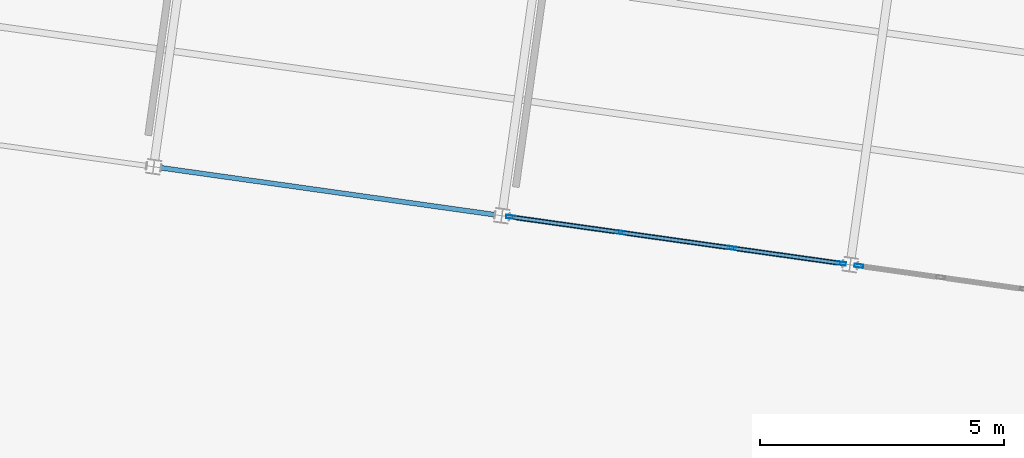
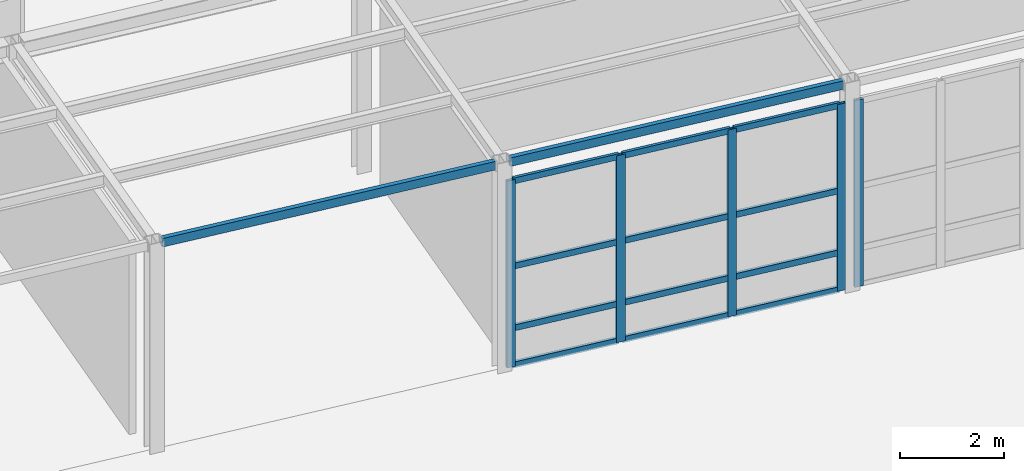
# One storey, part 18 of 57: 17 members, 2 beams, 2 elements without a shape of their own.
"""IFC4 building model written with IfcOpenShell, lengths in metres."""

from ifc_helpers import new_model, si_unit, direction, frame, origin, origin_2d, place, context, subcontext, project, spatial, hollow_rectangle, extrude, material, layer, layer_set, material_profile, profile_set, type_object, element, aggregate, save


model = new_model("IFC4")

# Units and contexts
model_context = context("Model", 3, precision=1e-05, world=origin(), true_north=direction((0.0, 1.0)))
body_context = subcontext(model_context, "Body", "Model", "MODEL_VIEW")
ifc_project = project(units=[si_unit("LENGTHUNIT", "METRE"), si_unit("AREAUNIT", "SQUARE_METRE"), si_unit("VOLUMEUNIT", "CUBIC_METRE"), si_unit("PLANEANGLEUNIT", "RADIAN"), si_unit("MASSUNIT", "GRAM", prefix="KILO")], contexts=[model_context])

# Site, building, storey
site_placement = place(None, origin())
site = spatial("IfcSite", under=ifc_project, at=site_placement, CompositionType="ELEMENT")
building_placement = place(site_placement, origin())
building = spatial("IfcBuilding", under=site, at=building_placement, Name="Kharisveld Research Institute", CompositionType="ELEMENT")
storey_placement = place(building_placement, origin())
storey = spatial("IfcBuildingStorey", under=building, at=storey_placement, Name="L00", CompositionType="ELEMENT", Elevation=0.0)

# Curtain wall, member
ifc_material_1 = material(Name="Thermally Broken Aluminium Curtain Wall", Category="aluminium")
ifc_layer_1 = layer(ifc_material_1, 0.159912109375)
ifc_layer_set_1 = layer_set([ifc_layer_1], Name="CW_SYS_05")
curtain_wall_type_1 = type_object("IfcCurtainWallType", Name="CW_SYS_05", PredefinedType="NOTDEFINED", material=ifc_layer_set_1)
curtain_wall_1_placement = place(storey_placement, origin())
curtain_wall_1 = element("IfcCurtainWall", 1, at=curtain_wall_1_placement, inside=storey, type_object=curtain_wall_type_1, Name="CW:V4:L00:S4", PredefinedType="NOTDEFINED")
ifc_material_2 = material(Name="Anodised Aluminium AW-6063-T6", Category="aluminium")
ifc_material_profile_1 = material_profile(ifc_material_2, hollow_rectangle(XDim=0.070068359375, YDim=0.179931640625, WallThickness=0.00439453125, at=origin_2d()))
ifc_profile_set_1 = profile_set([ifc_material_profile_1], Name="Anodised Aluminium AW-6063-T6")
member_type_1 = type_object("IfcMemberType", Name="CW_MUL_180", PredefinedType="MULLION", material=ifc_profile_set_1)
member_1_placement = place(storey_placement, frame((96.568115234375, 14.46875, 0.0), z_axis=(0.0, 0.0, 1.0), x_axis=(-0.139173089933, -0.990268070291, 0.0)))
member_1 = element("IfcMember", 2, at=member_1_placement, type_object=member_type_1, Name="CW-05 mullion 5", PredefinedType="MULLION", context=body_context, shape_type="SweptSolid", body=[
    extrude(hollow_rectangle(XDim=0.070068359375, YDim=0.179931640625, WallThickness=0.00439453125, at=origin_2d()), origin(), (0.0, 0.0, 1.0), 4.3798828125),
])
aggregate(curtain_wall_1, [member_1])

# Curtain wall, members
ifc_material_3 = material(Name="Thermally Broken Aluminium Curtain Wall", Category="aluminium")
ifc_layer_2 = layer(ifc_material_3, 0.159912109375)
ifc_layer_set_2 = layer_set([ifc_layer_2], Name="CW_SYS_06")
curtain_wall_type_2 = type_object("IfcCurtainWallType", Name="CW_SYS_06", PredefinedType="NOTDEFINED", material=ifc_layer_set_2)
curtain_wall_2_placement = place(storey_placement, origin())
curtain_wall_2 = element("IfcCurtainWall", 3, at=curtain_wall_2_placement, inside=storey, type_object=curtain_wall_type_2, Name="CW:V4:L00:S3", PredefinedType="NOTDEFINED")
member_2_placement = place(storey_placement, frame((96.21142578125, 14.518798828125, 0.0), z_axis=(0.0, 0.0, 1.0), x_axis=(-0.139173089933, -0.990268070291, 0.0)))
member_2 = element("IfcMember", 4, at=member_2_placement, type_object=member_type_1, Name="CW-06 mullion 1", PredefinedType="MULLION", context=body_context, shape_type="SweptSolid", body=[
    extrude(hollow_rectangle(XDim=0.070068359375, YDim=0.179931640625, WallThickness=0.00439453125, at=origin_2d()), origin(), (0.0, 0.0, 1.0), 4.3798828125),
])
member_3_placement = place(storey_placement, frame((93.96533203125, 14.834716796875, 0.0), z_axis=(0.0, 0.0, 1.0), x_axis=(-0.139173089933, -0.990268070291, 0.0)))
member_3 = element("IfcMember", 5, at=member_3_placement, type_object=member_type_1, Name="CW-06 mullion 2", PredefinedType="MULLION", context=body_context, shape_type="SweptSolid", body=[
    extrude(hollow_rectangle(XDim=0.070068359375, YDim=0.179931640625, WallThickness=0.00439453125, at=origin_2d()), origin(), (0.0, 0.0, 1.0), 4.3798828125),
])
member_4_placement = place(storey_placement, frame((91.684326171875, 15.1552734375, 0.0), z_axis=(0.0, 0.0, 1.0), x_axis=(-0.139173089933, -0.990268070291, 0.0)))
member_4 = element("IfcMember", 6, at=member_4_placement, type_object=member_type_1, Name="CW-06 mullion 3", PredefinedType="MULLION", context=body_context, shape_type="SweptSolid", body=[
    extrude(hollow_rectangle(XDim=0.070068359375, YDim=0.179931640625, WallThickness=0.00439453125, at=origin_2d()), origin(), (0.0, 0.0, 1.0), 4.3798828125),
])
member_5_placement = place(storey_placement, frame((89.43798828125, 15.470947265625, 0.0), z_axis=(0.0, 0.0, 1.0), x_axis=(-0.139173089933, -0.990268070291, 0.0)))
member_5 = element("IfcMember", 7, at=member_5_placement, type_object=member_type_1, Name="CW-06 mullion 4", PredefinedType="MULLION", context=body_context, shape_type="SweptSolid", body=[
    extrude(hollow_rectangle(XDim=0.070068359375, YDim=0.179931640625, WallThickness=0.00439453125, at=origin_2d()), origin(), (0.0, 0.0, 1.0), 4.3798828125),
])
ifc_material_4 = material(Name="Anodised Aluminium AW-6063-T6", Category="aluminium")
ifc_material_profile_2 = material_profile(ifc_material_4, hollow_rectangle(XDim=0.06494140625, YDim=0.139892578125, WallThickness=0.00390625, at=origin_2d()))
ifc_profile_set_2 = profile_set([ifc_material_profile_2], Name="Anodised Aluminium AW-6063-T6")
member_type_2 = type_object("IfcMemberType", Name="CW_TRN_140", PredefinedType="USERDEFINED", material=ifc_profile_set_2)
member_6_placement = place(storey_placement, frame((96.177001953125, 14.523681640625, 0.032470703125), z_axis=(-0.990255860984, 0.139259936041, 0.0), x_axis=(-0.139259936041, -0.990255860984, 0.0)))
member_6 = element("IfcMember", 8, at=member_6_placement, type_object=member_type_2, Name="CW-06 transom 1.1", ObjectType="TRANSOM", PredefinedType="USERDEFINED", context=body_context, shape_type="SweptSolid", body=[
    extrude(hollow_rectangle(XDim=0.06494140625, YDim=0.139892578125, WallThickness=0.00390625, at=origin_2d()), origin(), (0.0, 0.0, 1.0), 2.198486328125),
])
member_7_placement = place(storey_placement, frame((96.177001953125, 14.523681640625, 0.89990234375), z_axis=(-0.990255860984, 0.139259936041, 0.0), x_axis=(-0.139259936041, -0.990255860984, 0.0)))
member_7 = element("IfcMember", 9, at=member_7_placement, type_object=member_type_2, Name="CW-06 transom 1.2", ObjectType="TRANSOM", PredefinedType="USERDEFINED", context=body_context, shape_type="SweptSolid", body=[
    extrude(hollow_rectangle(XDim=0.06494140625, YDim=0.139892578125, WallThickness=0.00390625, at=origin_2d()), origin(), (0.0, 0.0, 1.0), 2.198486328125),
])
member_8_placement = place(storey_placement, frame((96.177001953125, 14.523681640625, 2.35009765625), z_axis=(-0.990255860984, 0.139259936041, 0.0), x_axis=(-0.139259936041, -0.990255860984, 0.0)))
member_8 = element("IfcMember", 10, at=member_8_placement, type_object=member_type_2, Name="CW-06 transom 1.3", ObjectType="TRANSOM", PredefinedType="USERDEFINED", context=body_context, shape_type="SweptSolid", body=[
    extrude(hollow_rectangle(XDim=0.06494140625, YDim=0.139892578125, WallThickness=0.00390625, at=origin_2d()), origin(), (0.0, 0.0, 1.0), 2.198486328125),
])
member_9_placement = place(storey_placement, frame((96.177001953125, 14.523681640625, 4.347412109375), z_axis=(-0.990255860984, 0.139259936041, 0.0), x_axis=(-0.139259936041, -0.990255860984, 0.0)))
member_9 = element("IfcMember", 11, at=member_9_placement, type_object=member_type_2, Name="CW-06 transom 1.4", ObjectType="TRANSOM", PredefinedType="USERDEFINED", context=body_context, shape_type="SweptSolid", body=[
    extrude(hollow_rectangle(XDim=0.06494140625, YDim=0.139892578125, WallThickness=0.00390625, at=origin_2d()), origin(), (0.0, 0.0, 1.0), 2.198486328125),
])
member_10_placement = place(storey_placement, frame((93.9306640625, 14.83935546875, 0.032470703125), z_axis=(-0.990255401156, 0.13926320577, 0.0), x_axis=(-0.13926320577, -0.990255401156, 0.0)))
member_10 = element("IfcMember", 12, at=member_10_placement, type_object=member_type_2, Name="CW-06 transom 2.1", ObjectType="TRANSOM", PredefinedType="USERDEFINED", context=body_context, shape_type="SweptSolid", body=[
    extrude(hollow_rectangle(XDim=0.06494140625, YDim=0.139892578125, WallThickness=0.00390625, at=origin_2d()), origin(), (0.0, 0.0, 1.0), 2.2333984375),
])
member_11_placement = place(storey_placement, frame((93.9306640625, 14.83935546875, 0.89990234375), z_axis=(-0.990255401156, 0.13926320577, 0.0), x_axis=(-0.13926320577, -0.990255401156, 0.0)))
member_11 = element("IfcMember", 13, at=member_11_placement, type_object=member_type_2, Name="CW-06 transom 2.2", ObjectType="TRANSOM", PredefinedType="USERDEFINED", context=body_context, shape_type="SweptSolid", body=[
    extrude(hollow_rectangle(XDim=0.06494140625, YDim=0.139892578125, WallThickness=0.00390625, at=origin_2d()), origin(), (0.0, 0.0, 1.0), 2.2333984375),
])
member_12_placement = place(storey_placement, frame((93.9306640625, 14.83935546875, 2.35009765625), z_axis=(-0.990255401156, 0.13926320577, 0.0), x_axis=(-0.13926320577, -0.990255401156, 0.0)))
member_12 = element("IfcMember", 14, at=member_12_placement, type_object=member_type_2, Name="CW-06 transom 2.3", ObjectType="TRANSOM", PredefinedType="USERDEFINED", context=body_context, shape_type="SweptSolid", body=[
    extrude(hollow_rectangle(XDim=0.06494140625, YDim=0.139892578125, WallThickness=0.00390625, at=origin_2d()), origin(), (0.0, 0.0, 1.0), 2.2333984375),
])
member_13_placement = place(storey_placement, frame((93.9306640625, 14.83935546875, 4.347412109375), z_axis=(-0.990255401156, 0.13926320577, 0.0), x_axis=(-0.13926320577, -0.990255401156, 0.0)))
member_13 = element("IfcMember", 15, at=member_13_placement, type_object=member_type_2, Name="CW-06 transom 2.4", ObjectType="TRANSOM", PredefinedType="USERDEFINED", context=body_context, shape_type="SweptSolid", body=[
    extrude(hollow_rectangle(XDim=0.06494140625, YDim=0.139892578125, WallThickness=0.00390625, at=origin_2d()), origin(), (0.0, 0.0, 1.0), 2.2333984375),
])
member_14_placement = place(storey_placement, frame((91.649658203125, 15.16015625, 0.032470703125), z_axis=(-0.990271169714, 0.139151034614, 0.0), x_axis=(-0.139151034614, -0.990271169714, 0.0)))
member_14 = element("IfcMember", 16, at=member_14_placement, type_object=member_type_2, Name="CW-06 transom 3.1", ObjectType="TRANSOM", PredefinedType="USERDEFINED", context=body_context, shape_type="SweptSolid", body=[
    extrude(hollow_rectangle(XDim=0.06494140625, YDim=0.139892578125, WallThickness=0.00390625, at=origin_2d()), origin(), (0.0, 0.0, 1.0), 2.198486328125),
])
member_15_placement = place(storey_placement, frame((91.649658203125, 15.16015625, 0.89990234375), z_axis=(-0.990271169714, 0.139151034614, 0.0), x_axis=(-0.139151034614, -0.990271169714, 0.0)))
member_15 = element("IfcMember", 17, at=member_15_placement, type_object=member_type_2, Name="CW-06 transom 3.2", ObjectType="TRANSOM", PredefinedType="USERDEFINED", context=body_context, shape_type="SweptSolid", body=[
    extrude(hollow_rectangle(XDim=0.06494140625, YDim=0.139892578125, WallThickness=0.00390625, at=origin_2d()), origin(), (0.0, 0.0, 1.0), 2.198486328125),
])
member_16_placement = place(storey_placement, frame((91.649658203125, 15.16015625, 2.35009765625), z_axis=(-0.990271169714, 0.139151034614, 0.0), x_axis=(-0.139151034614, -0.990271169714, 0.0)))
member_16 = element("IfcMember", 18, at=member_16_placement, type_object=member_type_2, Name="CW-06 transom 3.3", ObjectType="TRANSOM", PredefinedType="USERDEFINED", context=body_context, shape_type="SweptSolid", body=[
    extrude(hollow_rectangle(XDim=0.06494140625, YDim=0.139892578125, WallThickness=0.00390625, at=origin_2d()), origin(), (0.0, 0.0, 1.0), 2.198486328125),
])
member_17_placement = place(storey_placement, frame((91.649658203125, 15.16015625, 4.347412109375), z_axis=(-0.990271169714, 0.139151034614, 0.0), x_axis=(-0.139151034614, -0.990271169714, 0.0)))
member_17 = element("IfcMember", 19, at=member_17_placement, type_object=member_type_2, Name="CW-06 transom 3.4", ObjectType="TRANSOM", PredefinedType="USERDEFINED", context=body_context, shape_type="SweptSolid", body=[
    extrude(hollow_rectangle(XDim=0.06494140625, YDim=0.139892578125, WallThickness=0.00390625, at=origin_2d()), origin(), (0.0, 0.0, 1.0), 2.198486328125),
])
aggregate(curtain_wall_2, [member_2, member_3, member_4, member_5, member_6, member_7, member_8, member_9, member_10, member_11, member_12, member_13, member_14, member_15, member_16, member_17])

# Beams
ifc_material_5 = material(Name="Steel S355J2H", Category="steel")
ifc_material_profile_3 = material_profile(ifc_material_5, hollow_rectangle(XDim=0.10009765625, YDim=0.199951171875, WallThickness=0.008056640625, at=origin_2d()))
ifc_profile_set_3 = profile_set([ifc_material_profile_3], Name="Steel S355J2H")
beam_type = type_object("IfcBeamType", Name="SP_ST_RHS200", PredefinedType="SPANDREL", material=ifc_profile_set_3)
for number, where, z_axis, x_axis, name in (
    (20, (82.278564453125, 16.47705078125, 4.820068359375), (0.990269611306, -0.139162124603, 0.0), (0.139162124603, 0.990269611306, 0.0), "BM:V4:L00:U1_0"),
    (21, (89.408447265625, 15.47509765625, 4.820068359375), (0.990264734633, -0.139196822312, 0.0), (0.139196822312, 0.990264734633, 0.0), "BM:V4:L00:U2_0"),
):
    element("IfcBeam", number, at=place(storey_placement, frame(where, z_axis=z_axis, x_axis=x_axis)), inside=storey, type_object=beam_type, Name=name, PredefinedType="SPANDREL", context=body_context, shape_type="SweptSolid", body=[
        extrude(hollow_rectangle(XDim=0.10009765625, YDim=0.199951171875, WallThickness=0.008056640625, at=origin_2d()), origin(), (0.0, 0.0, 1.0), 6.89990234375),
    ])

save(model, "model.ifc")
